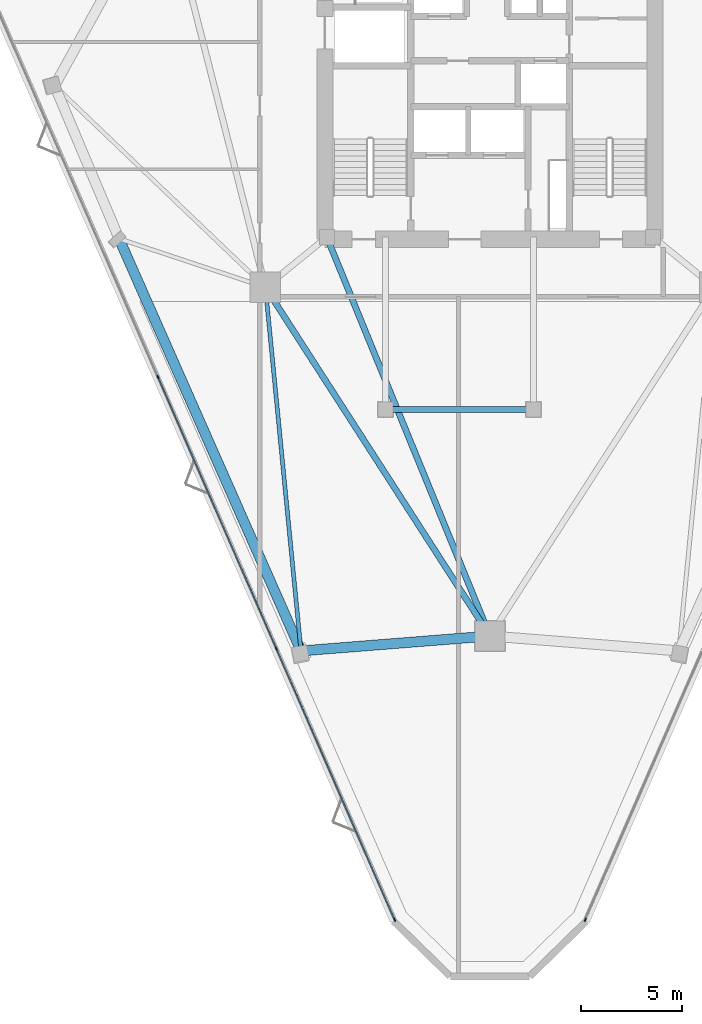
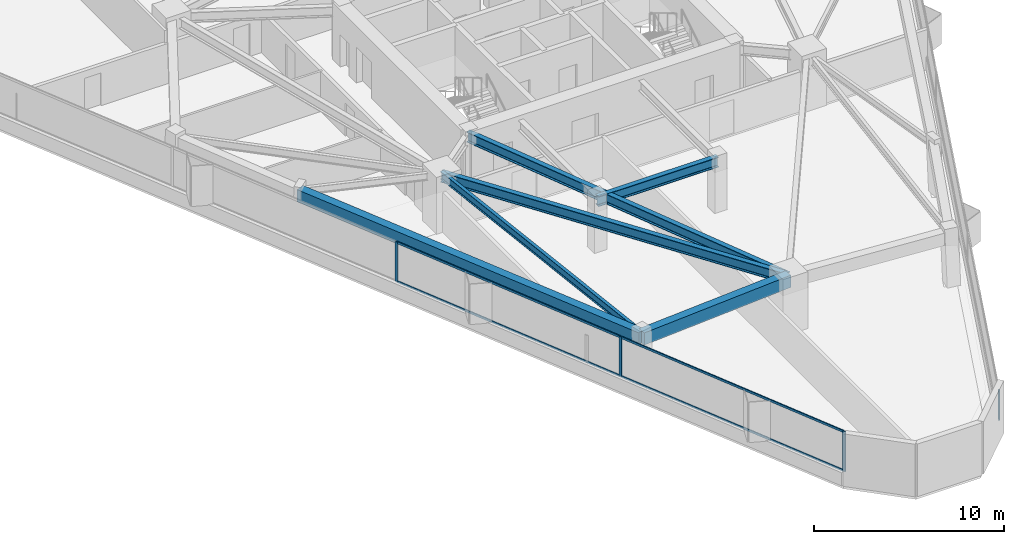
# One storey, part 2 of 13: 8 members, 6 beams, 2 elements without a shape of their own.
"""IFC4 building model written with IfcOpenShell, lengths in metres."""

import ifcopenshell
import ifcopenshell.guid

model = None  # the IFC model being written
_history = None  # IfcOwnerHistory: only IFC2X3 demands one
_inside = {}  # id of a spatial element -> (the spatial element, [elements in it])
_under = {}  # id of a project, library or spatial element -> (it, [spatial elements below it])
_declared = {}  # id of a project -> (the project, [libraries it declares])
_typed = {}  # id of a type object -> (the type object, [elements of that type])
_made_of = {}  # id of a material, layer set ... -> (it, [elements and type objects made of it])


def new_model(schema):
    """Start an empty IFC model of exactly this schema.

    Asked for "IFC4X3", IfcOpenShell would pick the latest addendum, in which some entities
    have other attributes; the version numbers below select the first issue.
    IFC2X3 requires an IfcOwnerHistory on every rooted entity: one is made here for all.
    """
    global model, _history
    if schema == "IFC4X3":
        model = ifcopenshell.file(schema_version=(4, 3, 0, 0))
    else:
        model = ifcopenshell.file(schema=schema)
    _inside.clear()
    _under.clear()
    _declared.clear()
    _typed.clear()
    _made_of.clear()
    _history = None
    if model.schema == "IFC2X3":
        org = make("IfcOrganization", Name="unknown")
        user = make(
            "IfcPersonAndOrganization",
            ThePerson=make("IfcPerson", FamilyName="unknown"),
            TheOrganization=org,
        )
        app = make(
            "IfcApplication",
            ApplicationDeveloper=org,
            Version="unknown",
            ApplicationFullName="unknown",
            ApplicationIdentifier="unknown",
        )
        _history = make(
            "IfcOwnerHistory",
            OwningUser=user,
            OwningApplication=app,
            ChangeAction="ADDED",
            CreationDate=0,
        )
    return model


def make(cls, **values):
    """One entity of the class cls with the attributes given. An attribute that is None is left unset."""
    return model.create_entity(
        cls, **{name: value for name, value in values.items() if value is not None}
    )


def rooted(cls, **values):
    """An entity with a GlobalId (a new one), such as an element, a storey or a relation."""
    return make(cls, GlobalId=ifcopenshell.guid.new(), OwnerHistory=_history, **values)


def si_unit(unit_type, name, prefix=None):
    """IfcSIUnit, for example si_unit("LENGTHUNIT", "METRE", prefix="MILLI")."""
    return make("IfcSIUnit", UnitType=unit_type, Prefix=prefix, Name=name)


def assignment(units):
    """IfcUnitAssignment: the units of a project."""
    return None if units is None else make("IfcUnitAssignment", Units=units)


def point(xyz):
    """IfcCartesianPoint."""
    return None if xyz is None else make("IfcCartesianPoint", Coordinates=xyz)


def direction(xyz):
    """IfcDirection."""
    return None if xyz is None else make("IfcDirection", DirectionRatios=xyz)


def frame(location, z_axis=None, x_axis=None):
    """IfcAxis2Placement3D, a coordinate frame: its origin and axes. An axis left out is left unset."""
    return make(
        "IfcAxis2Placement3D",
        Location=point(location),
        Axis=direction(z_axis),
        RefDirection=direction(x_axis),
    )


def frame_2d(location, x_axis=None):
    """IfcAxis2Placement2D, a coordinate frame in the plane: its origin and x axis."""
    return make(
        "IfcAxis2Placement2D", Location=point(location), RefDirection=direction(x_axis)
    )


def origin():
    """The frame at (0, 0, 0) with its axes left unset."""
    return frame((0.0, 0.0, 0.0))


def origin_2d():
    """The frame at (0, 0) in the plane with its x axis left unset."""
    return frame_2d((0.0, 0.0))


def place(relative_to, where):
    """IfcLocalPlacement: puts the frame where relative to a parent placement (None: the world)."""
    return make(
        "IfcLocalPlacement", PlacementRelTo=relative_to, RelativePlacement=where
    )


def context(
    kind, dimensions, precision=None, world=None, true_north=None, identifier=None
):
    """IfcGeometricRepresentationContext, for example the 3D "Model" context."""
    return make(
        "IfcGeometricRepresentationContext",
        ContextIdentifier=identifier,
        ContextType=kind,
        CoordinateSpaceDimension=dimensions,
        Precision=precision,
        WorldCoordinateSystem=world,
        TrueNorth=true_north,
    )


def subcontext(parent, identifier, kind, view, scale=None):
    """IfcGeometricRepresentationSubContext, for example "Body" below "Model"."""
    return make(
        "IfcGeometricRepresentationSubContext",
        ContextIdentifier=identifier,
        ContextType=kind,
        ParentContext=parent,
        TargetScale=scale,
        TargetView=view,
    )


def project(units=None, contexts=None):
    """IfcProject with its units and contexts."""
    return rooted(
        "IfcProject",
        Name="project",
        RepresentationContexts=contexts,
        UnitsInContext=assignment(units),
    )


def spatial(cls, under=None, at=None, **own):
    """A site, building, storey or space (cls), placed at a placement, below another one or the project."""
    s = rooted(cls, ObjectPlacement=at, **own)
    if under is not None:
        _under.setdefault(under.id(), (under, []))[1].append(s)
    return s


def profile(cls, at=None, kind="AREA", **sizes):
    """A parametric profile (cls). Its sizes go by their IFC names, for example OverallWidth=200.0."""
    return make(cls, ProfileType=kind, Position=at, **sizes)


def rectangle(**sizes):
    """IfcRectangleProfileDef."""
    return profile("IfcRectangleProfileDef", **sizes)


def i_section(**sizes):
    """IfcIShapeProfileDef."""
    return profile("IfcIShapeProfileDef", **sizes)


def extrude(swept, where, along, depth):
    """IfcExtrudedAreaSolid: the profile swept, set in the frame where, extruded along a direction by depth."""
    return make(
        "IfcExtrudedAreaSolid",
        SweptArea=swept,
        Position=where,
        ExtrudedDirection=direction(along),
        Depth=depth,
    )


def shape(context_of_items, identifier, shape_type, items):
    """IfcShapeRepresentation: the items that make up one representation, for example the "Body"."""
    return make(
        "IfcShapeRepresentation",
        ContextOfItems=context_of_items,
        RepresentationIdentifier=identifier,
        RepresentationType=shape_type,
        Items=items,
    )


def material(Name=None, Category=None):
    """IfcMaterial."""
    return make("IfcMaterial", Name=Name, Category=Category)


def layer(
    of_material, thickness, ventilated=None, Name=None, Category=None, Priority=None
):
    """IfcMaterialLayer: one layer of a wall or slab, of a material (None: an air gap)."""
    return make(
        "IfcMaterialLayer",
        Material=of_material,
        LayerThickness=thickness,
        IsVentilated=ventilated,
        Name=Name,
        Category=Category,
        Priority=Priority,
    )


def layer_set(layers, Name=None):
    """IfcMaterialLayerSet."""
    return make("IfcMaterialLayerSet", MaterialLayers=layers, LayerSetName=Name)


def material_profile(
    of_material, cross_section, Name=None, Category=None, Priority=None
):
    """IfcMaterialProfile: a cross section and its material."""
    return make(
        "IfcMaterialProfile",
        Name=Name,
        Material=of_material,
        Profile=cross_section,
        Priority=Priority,
        Category=Category,
    )


def profile_set(profiles, Name=None, composite=None):
    """IfcMaterialProfileSet."""
    return make(
        "IfcMaterialProfileSet",
        Name=Name,
        MaterialProfiles=profiles,
        CompositeProfile=composite,
    )


def made_of(thing, what):
    """Note that an element or type object is made of a material, layer set ...; save() writes the relation."""
    if what is not None:
        _made_of.setdefault(what.id(), (what, []))[1].append(thing)
    return thing


def type_object(cls, material=None, **own):
    """A type object (cls), such as IfcWallType, which elements share."""
    return made_of(rooted(cls, **own), material)


def element(
    cls,
    number,
    at=None,
    inside=None,
    cuts=None,
    type_object=None,
    material=None,
    context=None,
    identifier="Body",
    shape_type=None,
    held_by="IfcProductDefinitionShape",
    body=None,
    shapes=None,
    **own,
):
    """One element of the class cls, such as IfcWall. Its Tag is "e" and its number.

    at: its placement. inside: the storey or other place that contains it. cuts: it is an
    opening in that element (IfcRelVoidsElement). A single representation is given by context,
    identifier, shape_type and body (its items); several are given by shapes. held_by: the class
    of the entity that holds the representations. save() writes the other relations.
    """
    e = rooted(cls, Tag="e%d" % number, ObjectPlacement=at, **own)
    if body is not None:
        shapes = [shape(context, identifier, shape_type, body)]
    if shapes is not None:
        e.Representation = make(held_by, Representations=shapes)
    if inside is not None:
        _inside.setdefault(inside.id(), (inside, []))[1].append(e)
    if cuts is not None:
        rooted(
            "IfcRelVoidsElement", RelatingBuildingElement=cuts, RelatedOpeningElement=e
        )
    if type_object is not None:
        _typed.setdefault(type_object.id(), (type_object, []))[1].append(e)
    return made_of(e, material)


def aggregate(whole, parts):
    """IfcRelAggregates: a whole, such as a stair, and the parts it consists of."""
    return rooted("IfcRelAggregates", RelatingObject=whole, RelatedObjects=parts)


def save(model, path):
    """Write the relations noted so far, then the file.

    IfcRelAggregates (storeys below a building ...), IfcRelContainedInSpatialStructure (elements
    in a storey), IfcRelDefinesByType, IfcRelAssociatesMaterial and IfcRelDeclares: one each for
    every whole, place, type object, material and project.
    """
    for whole, parts in _under.values():
        aggregate(whole, parts)
    for where, things in _inside.values():
        rooted(
            "IfcRelContainedInSpatialStructure",
            RelatedElements=things,
            RelatingStructure=where,
        )
    for kind, things in _typed.values():
        rooted("IfcRelDefinesByType", RelatedObjects=things, RelatingType=kind)
    for what, things in _made_of.values():
        rooted("IfcRelAssociatesMaterial", RelatedObjects=things, RelatingMaterial=what)
    for by, libraries in _declared.values():
        rooted("IfcRelDeclares", RelatingContext=by, RelatedDefinitions=libraries)
    model.write(path)


model = new_model("IFC4")

# Units and contexts
model_context = context("Model", 3, precision=1e-05, world=origin(), true_north=direction((0.0, 1.0)))
body_context = subcontext(model_context, "Body", "Model", "MODEL_VIEW")
ifc_project = project(units=[si_unit("LENGTHUNIT", "METRE"), si_unit("AREAUNIT", "SQUARE_METRE"), si_unit("VOLUMEUNIT", "CUBIC_METRE"), si_unit("PLANEANGLEUNIT", "RADIAN"), si_unit("MASSUNIT", "GRAM", prefix="KILO")], contexts=[model_context])

# Site, building, storey
site_placement = place(None, origin())
site = spatial("IfcSite", under=ifc_project, at=site_placement, CompositionType="ELEMENT")
building_placement = place(site_placement, origin())
building = spatial("IfcBuilding", under=site, at=building_placement, Name="Talyreon Biosciences Tower", CompositionType="ELEMENT")
storey_placement = place(building_placement, frame((0.0, 0.0, 145.449951171875)))
storey = spatial("IfcBuildingStorey", under=building, at=storey_placement, Name="L38", CompositionType="ELEMENT", Elevation=145.449951171875)

# Curtain wall, members
ifc_material_1 = material(Name="Thermally broken aluminium and low-E glazing", Category="aluminium")
ifc_layer = layer(ifc_material_1, 0.18505859375)
ifc_layer_set = layer_set([ifc_layer], Name="Thermally broken aluminium and low-E glazing")
curtain_wall_type = type_object("IfcCurtainWallType", Name="CurtainWall_Zone3Bioprocess", PredefinedType="NOTDEFINED", material=ifc_layer_set)
curtain_wall_1_placement = place(storey_placement, origin())
curtain_wall_1 = element("IfcCurtainWall", 1, at=curtain_wall_1_placement, inside=storey, type_object=curtain_wall_type, Name="L38 Unitised Curtain Wall FCW-L38-00", PredefinedType="NOTDEFINED")
ifc_material_2 = material(Name="Anodised thermally broken aluminium", Category="aluminium")
ifc_material_profile_1 = material_profile(ifc_material_2, rectangle(XDim=0.06494140625, YDim=0.179931640625, at=origin_2d()), Name="ALUM MULLION 65x180")
ifc_profile_set_1 = profile_set([ifc_material_profile_1], Name="Anodised thermally broken aluminium")
member_type_1 = type_object("IfcMemberType", Name="CWMullion_65x180", PredefinedType="MULLION", material=ifc_profile_set_1)
member_1_placement = place(storey_placement, frame((61.293701171875, 27.656005859375, 0.81005859375), z_axis=(0.0, 0.0, 1.0), x_axis=(-0.916646882049, -0.399698003034, 0.0)))
member_1 = element("IfcMember", 2, at=member_1_placement, type_object=member_type_1, Name="CW4 mullion 1", PredefinedType="MULLION", context=body_context, shape_type="SweptSolid", body=[
    extrude(rectangle(XDim=0.06494140625, YDim=0.179931640625, at=origin_2d()), origin(), (0.0, 0.0, 1.0), 2.56494140625),
])
member_2_placement = place(storey_placement, frame((55.458740234375, 41.037841796875, 0.81005859375), z_axis=(0.0, 0.0, 1.0), x_axis=(-0.916646882049, -0.399698003034, 0.0)))
member_2 = element("IfcMember", 3, at=member_2_placement, type_object=member_type_1, Name="CW4 mullion 2", PredefinedType="MULLION", context=body_context, shape_type="SweptSolid", body=[
    extrude(rectangle(XDim=0.06494140625, YDim=0.179931640625, at=origin_2d()), origin(), (0.0, 0.0, 1.0), 2.56494140625),
])
member_3_placement = place(storey_placement, frame((49.610595703125, 54.449462890625, 0.81005859375), z_axis=(0.0, 0.0, 1.0), x_axis=(-0.916646882049, -0.399698003034, 0.0)))
member_3 = element("IfcMember", 4, at=member_3_placement, type_object=member_type_1, Name="CW4 mullion 3", PredefinedType="MULLION", context=body_context, shape_type="SweptSolid", body=[
    extrude(rectangle(XDim=0.06494140625, YDim=0.179931640625, at=origin_2d()), origin(), (0.0, 0.0, 1.0), 2.56494140625),
])

# Curtain wall, member
curtain_wall_2_placement = place(storey_placement, origin())
curtain_wall_2 = element("IfcCurtainWall", 5, at=curtain_wall_2_placement, inside=storey, type_object=curtain_wall_type, Name="L38 Unitised Curtain Wall FCW-L38-08", PredefinedType="NOTDEFINED")
member_4_placement = place(storey_placement, frame((70.706298828125, 27.656005859375, 0.81005859375), z_axis=(0.0, 0.0, 1.0), x_axis=(0.916646882049, -0.399698003034, 0.0)))
member_4 = element("IfcMember", 6, at=member_4_placement, type_object=member_type_1, Name="CW4 mullion 5", PredefinedType="MULLION", context=body_context, shape_type="SweptSolid", body=[
    extrude(rectangle(XDim=0.06494140625, YDim=0.179931640625, at=origin_2d()), origin(), (0.0, 0.0, 1.0), 1.889892578125),
])
aggregate(curtain_wall_2, [member_4])

# Member
ifc_material_profile_2 = material_profile(ifc_material_2, rectangle(XDim=0.06494140625, YDim=0.139892578125, at=origin_2d()), Name="ALUM TRANSOM 65x140")
ifc_profile_set_2 = profile_set([ifc_material_profile_2], Name="Anodised thermally broken aluminium")
member_type_2 = type_object("IfcMemberType", Name="CWTransom_65x140", PredefinedType="USERDEFINED", material=ifc_profile_set_2)
member_5_placement = place(storey_placement, frame((61.28076171875, 27.685791015625, 0.842529296875), z_axis=(-0.399697622423, 0.916647048012, 0.0), x_axis=(-0.916647048012, -0.399697622423, 0.0)))
member_5 = element("IfcMember", 7, at=member_5_placement, type_object=member_type_2, Name="CW4 transom 1.1", ObjectType="TRANSOM", PredefinedType="USERDEFINED", context=body_context, shape_type="SweptSolid", body=[
    extrude(rectangle(XDim=0.06494140625, YDim=0.139892578125, at=origin_2d()), origin(), (0.0, 0.0, 1.0), 14.53369140625),
])

member_6_placement = place(storey_placement, frame((61.28076171875, 27.685791015625, 3.342529296875), z_axis=(-0.399697622423, 0.916647048012, 0.0), x_axis=(-0.916647048012, -0.399697622423, 0.0)))
member_6 = element("IfcMember", 8, at=member_6_placement, type_object=member_type_2, Name="CW4 transom 1.2", ObjectType="TRANSOM", PredefinedType="USERDEFINED", context=body_context, shape_type="SweptSolid", body=[
    extrude(rectangle(XDim=0.06494140625, YDim=0.139892578125, at=origin_2d()), origin(), (0.0, 0.0, 1.0), 14.53369140625),
])

member_7_placement = place(storey_placement, frame((55.445556640625, 41.067626953125, 0.842529296875), z_axis=(-0.399694844406, 0.916648259342, 0.0), x_axis=(-0.916648259342, -0.399694844406, 0.0)))
member_7 = element("IfcMember", 9, at=member_7_placement, type_object=member_type_2, Name="CW4 transom 2.1", ObjectType="TRANSOM", PredefinedType="USERDEFINED", context=body_context, shape_type="SweptSolid", body=[
    extrude(rectangle(XDim=0.06494140625, YDim=0.139892578125, at=origin_2d()), origin(), (0.0, 0.0, 1.0), 14.566162109375),
])

member_8_placement = place(storey_placement, frame((55.445556640625, 41.067626953125, 3.342529296875), z_axis=(-0.399694844406, 0.916648259342, 0.0), x_axis=(-0.916648259342, -0.399694844406, 0.0)))
member_8 = element("IfcMember", 10, at=member_8_placement, type_object=member_type_2, Name="CW4 transom 2.2", ObjectType="TRANSOM", PredefinedType="USERDEFINED", context=body_context, shape_type="SweptSolid", body=[
    extrude(rectangle(XDim=0.06494140625, YDim=0.139892578125, at=origin_2d()), origin(), (0.0, 0.0, 1.0), 14.566162109375),
])

aggregate(curtain_wall_1, [member_1, member_2, member_3, member_5, member_6, member_7, member_8])

# Beams
ifc_material_3 = material(Name="Precast concrete C45/55", Category="concrete")
ifc_material_profile_3 = material_profile(ifc_material_3, rectangle(XDim=0.5, YDim=0.780029296875, at=origin_2d()), Name="RCB 500x780")
ifc_profile_set_3 = profile_set([ifc_material_profile_3], Name="Precast concrete C45/55")
beam_type_1 = type_object("IfcBeamType", Name="ExpressedSpandrel_500x780", PredefinedType="SPANDREL", material=ifc_profile_set_3)
beam_1_placement = place(storey_placement, frame((47.692626953125, 61.27490234375, 2.985107421875), z_axis=(0.403815874645, -0.914840280806, 0.0), x_axis=(0.914840280806, 0.403815874645, 0.0)))
element("IfcBeam", 11, at=beam_1_placement, inside=storey, type_object=beam_type_1, Name="L38 Expressed Horizontal Concrete Spandrel 11", PredefinedType="SPANDREL", context=body_context, shape_type="SweptSolid", body=[
    extrude(rectangle(XDim=0.5, YDim=0.780029296875, at=origin_2d()), origin(), (0.0, 0.0, 1.0), 22.239501953125),
])
beam_2_placement = place(storey_placement, frame((56.67333984375, 40.92919921875, 2.985107421875), z_axis=(0.996885744257, 0.078859450268, 0.0), x_axis=(-0.078859450268, 0.996885744257, 0.0)))
element("IfcBeam", 12, at=beam_2_placement, inside=storey, type_object=beam_type_1, Name="L38 Expressed Horizontal Concrete Spandrel 12", PredefinedType="SPANDREL", context=body_context, shape_type="SweptSolid", body=[
    extrude(rectangle(XDim=0.5, YDim=0.780029296875, at=origin_2d()), origin(), (0.0, 0.0, 1.0), 9.355712890625),
])
ifc_material_4 = material(Name="Steel SM355", Category="steel")
ifc_material_profile_4 = material_profile(ifc_material_4, i_section(OverallWidth=0.300048828125, OverallDepth=0.64990234375, WebThickness=0.01611328125, FlangeThickness=0.031005859375, FilletRadius=0.027099609375, at=origin_2d()), Name="HE650B")
ifc_profile_set_4 = profile_set([ifc_material_profile_4], Name="Steel SM355")
beam_type_2 = type_object("IfcBeamType", Name="SteelBeam_HE650B", PredefinedType="BEAM", material=ifc_profile_set_4)
beam_3_placement = place(storey_placement, frame((54.913818359375, 58.88037109375, 3.050048828125), z_axis=(0.541463723609, -0.840724114092, 0.0), x_axis=(0.840724114092, 0.541463723609, 0.0)))
element("IfcBeam", 13, at=beam_3_placement, inside=storey, type_object=beam_type_2, Name="L38 Mega-Ring Girder 6", PredefinedType="BEAM", context=body_context, shape_type="SweptSolid", body=[
    extrude(i_section(OverallWidth=0.300048828125, OverallDepth=0.64990234375, WebThickness=0.01611328125, FlangeThickness=0.031005859375, FilletRadius=0.027099609375, at=origin_2d()), origin(), (0.0, 0.0, 1.0), 20.474365234375),
])
beam_4_placement = place(storey_placement, frame((57.949951171875, 61.35009765625, 3.050048828125), z_axis=(0.378547014545, -0.925582064314, 0.0), x_axis=(0.925582064314, 0.378547014545, 0.0)))
element("IfcBeam", 14, at=beam_4_placement, inside=storey, type_object=beam_type_2, Name="L38 Radial Primary Girder 1", PredefinedType="BEAM", context=body_context, shape_type="SweptSolid", body=[
    extrude(i_section(OverallWidth=0.300048828125, OverallDepth=0.64990234375, WebThickness=0.01611328125, FlangeThickness=0.031005859375, FilletRadius=0.027099609375, at=origin_2d()), origin(), (0.0, 0.0, 1.0), 21.265625),
])
beam_5_placement = place(storey_placement, frame((60.85009765625, 52.840087890625, 3.050048828125), z_axis=(1.0, 0.0, 0.0), x_axis=(0.0, 1.0, 0.0)))
element("IfcBeam", 15, at=beam_5_placement, inside=storey, type_object=beam_type_2, Name="L38 Crown Shaft Spine Girder S", PredefinedType="BEAM", context=body_context, shape_type="SweptSolid", body=[
    extrude(i_section(OverallWidth=0.300048828125, OverallDepth=0.64990234375, WebThickness=0.01611328125, FlangeThickness=0.031005859375, FilletRadius=0.027099609375, at=origin_2d()), origin(), (0.0, 0.0, 1.0), 7.2998046875),
])
ifc_material_profile_5 = material_profile(ifc_material_4, i_section(OverallWidth=0.199951171875, OverallDepth=0.5, WebThickness=0.01025390625, FlangeThickness=0.01611328125, FilletRadius=0.02099609375, at=origin_2d()), Name="IPE500")
ifc_profile_set_5 = profile_set([ifc_material_profile_5], Name="Steel SM355")
beam_type_3 = type_object("IfcBeamType", Name="SteelJoist_IPE500", PredefinedType="JOIST", material=ifc_profile_set_5)
beam_6_placement = place(storey_placement, frame((54.913818359375, 58.88037109375, 3.125), z_axis=(0.097549605525, -0.995230663948, 0.0), x_axis=(0.995230663948, 0.097549605525, 0.0)))
element("IfcBeam", 16, at=beam_6_placement, inside=storey, type_object=beam_type_3, Name="L38 Radial Composite Floor Joist PC-SW2", PredefinedType="JOIST", context=body_context, shape_type="SweptSolid", body=[
    extrude(i_section(OverallWidth=0.199951171875, OverallDepth=0.5, WebThickness=0.01025390625, FlangeThickness=0.01611328125, FilletRadius=0.02099609375, at=origin_2d()), origin(), (0.0, 0.0, 1.0), 18.037109375),
])

save(model, "model.ifc")
